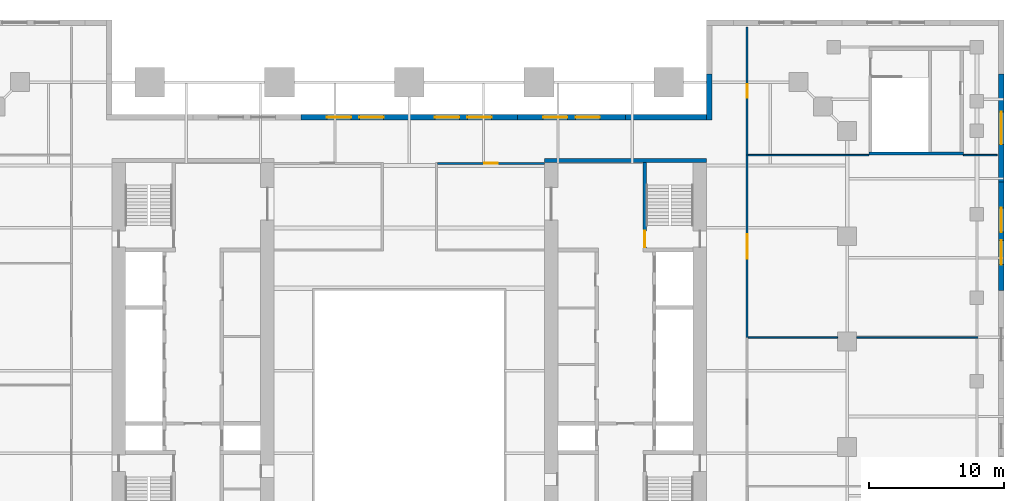
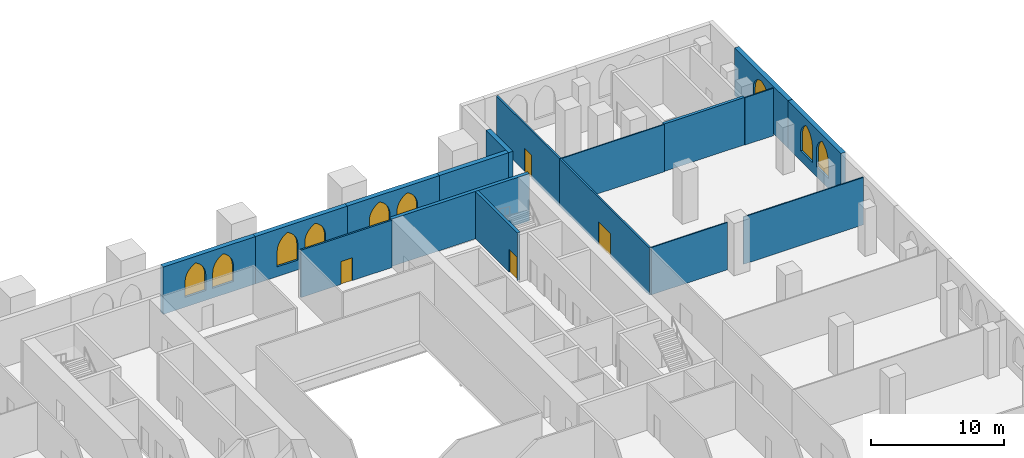
# One storey, part 16 of 18: 17 walls, 9 windows, 4 doors, 13 openings.
"""IFC4 building model written with IfcOpenShell, lengths in metres."""

from ifc_helpers import new_model, si_unit, direction, frame, frame_2d, origin, place, context, subcontext, project, spatial, polyline, rectangle, outline, extrude, material, layer, layer_set, type_object, element, fill, save


model = new_model("IFC4")

# Units and contexts
model_context = context("Model", 3, precision=1e-05, world=origin(), true_north=direction((0.0, 1.0)))
body_context = subcontext(model_context, "Body", "Model", "MODEL_VIEW")
ifc_project = project(units=[si_unit("LENGTHUNIT", "METRE"), si_unit("AREAUNIT", "SQUARE_METRE"), si_unit("VOLUMEUNIT", "CUBIC_METRE"), si_unit("PLANEANGLEUNIT", "RADIAN"), si_unit("MASSUNIT", "GRAM", prefix="KILO")], contexts=[model_context])

# Site, building, storey
site_placement = place(None, origin())
site = spatial("IfcSite", under=ifc_project, at=site_placement, CompositionType="ELEMENT")
building_placement = place(site_placement, origin())
building = spatial("IfcBuilding", under=site, at=building_placement, Name="Ogive Exchange Tower", CompositionType="ELEMENT")
storey_placement = place(building_placement, frame((0.0, 0.0, 28.800048828125)))
storey = spatial("IfcBuildingStorey", under=building, at=storey_placement, Name="L05", CompositionType="ELEMENT", Elevation=28.800048828125)

# Wall, opening, door
ifc_material_1 = material(Name="Fire partition EI 60 150")
ifc_layer_1 = layer(ifc_material_1, 0.14990234375)
ifc_layer_set_1 = layer_set([ifc_layer_1], Name="Fire partition EI 60 150")
wall_type_1 = type_object("IfcWallType", Name="Fire partition EI 60 150", PredefinedType="PARTITIONING", material=ifc_layer_set_1)
wall_1_placement = place(storey_placement, frame((2.074951171875, 25.39990234375, 0.0), z_axis=(0.0, 0.0, 1.0), x_axis=(1.0, 0.0, 0.0)))
wall_1 = element("IfcWall", 1, at=wall_1_placement, inside=storey, type_object=wall_type_1, Name="L05-PWL-036", PredefinedType="PARTITIONING", context=body_context, shape_type="SweptSolid", body=[
    extrude(rectangle(XDim=7.925048828125, YDim=0.14990234375, at=frame_2d((3.96240234375, 0.0))), origin(), (0.0, 0.0, 1.0), 4.349853515625),
])
opening_1_placement = place(wall_1_placement, frame((3.46240234375, 0.0, 0.0)))
opening_1 = element("IfcOpeningElement", 2, at=opening_1_placement, cuts=wall_1, Name="Opening L05-I25", PredefinedType="OPENING", context=body_context, shape_type="SweptSolid", body=[
    extrude(rectangle(XDim=1.0, YDim=2.10009765625, at=frame_2d((0.5, 1.050048828125))), frame((0.0, 0.0849609375, 0.0), z_axis=(0.0, -1.0, 0.0), x_axis=(1.0, 0.0, 0.0)), (0.0, 0.0, 1.0), 0.169921875),
])
ifc_material_2 = material(Name="Fire door FD 30S 1000 x 2100")
door_type_1 = type_object("IfcDoorType", Name="Fire door FD 30S 1000 x 2100", OperationType="NOTDEFINED", PredefinedType="DOOR", material=ifc_material_2)
door_1_placement = place(opening_1_placement, frame((1.0, 0.0, 0.0), z_axis=(0.0, 0.0, 1.0), x_axis=(-1.0, 0.0, 0.0)))
door_1 = element("IfcDoor", 3, at=door_1_placement, inside=storey, type_object=door_type_1, Name="L05-IDR-025", ObjectType="DT3", OperationType="SINGLE_SWING_LEFT", OverallHeight=2.10009765625, OverallWidth=1.0, PredefinedType="DOOR", context=body_context, shape_type="SweptSolid", body=[
    extrude(rectangle(XDim=1.0, YDim=2.10009765625, at=frame_2d((0.5, 1.050048828125))), frame((0.0, 0.02490234375, 0.0), z_axis=(0.0, -1.0, 0.0), x_axis=(1.0, 0.0, 0.0)), (0.0, 0.0, 1.0), 0.050048828125),
])
fill(opening_1, door_1)

wall_2_placement = place(storey_placement, frame((25.0, 12.5, 0.0), z_axis=(0.0, 0.0, 1.0), x_axis=(0.0, 1.0, 0.0)))
wall_2 = element("IfcWall", 4, at=wall_2_placement, inside=storey, type_object=wall_type_1, Name="L05-PWL-064", PredefinedType="PARTITIONING", context=body_context, shape_type="SweptSolid", body=[
    extrude(rectangle(XDim=13.5, YDim=0.14990234375, at=frame_2d((6.75, 0.0))), origin(), (0.0, 0.0, 1.0), 4.349853515625),
])
opening_2_placement = place(wall_2_placement, frame((5.85009765625, 0.0, 0.0)))
opening_2 = element("IfcOpeningElement", 5, at=opening_2_placement, cuts=wall_2, Name="Opening L05-I13", PredefinedType="OPENING", context=body_context, shape_type="SweptSolid", body=[
    extrude(rectangle(XDim=1.800048828125, YDim=2.10009765625, at=frame_2d((0.89990234375, 1.050048828125))), frame((0.0, 0.0849609375, 0.0), z_axis=(0.0, -1.0, 0.0), x_axis=(1.0, 0.0, 0.0)), (0.0, 0.0, 1.0), 0.169921875),
])
ifc_material_3 = material(Name="Fire door FD 30S 1800 x 2100")
door_type_2 = type_object("IfcDoorType", Name="Fire door FD 30S 1800 x 2100", OperationType="DOUBLE_DOOR_SINGLE_SWING", PredefinedType="DOOR", material=ifc_material_3)
door_2_placement = place(opening_2_placement, frame((1.800048828125, 0.0, 0.0), z_axis=(0.0, 0.0, 1.0), x_axis=(-1.0, 0.0, 0.0)))
door_2 = element("IfcDoor", 6, at=door_2_placement, inside=storey, type_object=door_type_2, Name="L05-IDR-013", ObjectType="DT4", OperationType="SINGLE_SWING_LEFT", OverallHeight=2.10009765625, OverallWidth=1.800048828125, PredefinedType="DOOR", context=body_context, shape_type="SweptSolid", body=[
    extrude(rectangle(XDim=1.800048828125, YDim=2.10009765625, at=frame_2d((0.89990234375, 1.050048828125))), frame((0.0, 0.02490234375, 0.0), z_axis=(0.0, -1.0, 0.0), x_axis=(1.0, 0.0, 0.0)), (0.0, 0.0, 1.0), 0.050048828125),
])
fill(opening_2, door_2)

wall_3_placement = place(storey_placement, frame((25.0, 26.0, 0.0), z_axis=(0.0, 0.0, 1.0), x_axis=(0.0, 1.0, 0.0)))
wall_3 = element("IfcWall", 7, at=wall_3_placement, inside=storey, type_object=wall_type_1, Name="L05-PWL-065", PredefinedType="PARTITIONING", context=body_context, shape_type="SweptSolid", body=[
    extrude(rectangle(XDim=9.5, YDim=0.14990234375, at=frame_2d((4.75, 0.0))), origin(), (0.0, 0.0, 1.0), 4.349853515625),
])
opening_3_placement = place(wall_3_placement, frame((4.25, 0.0, 0.0)))
opening_3 = element("IfcOpeningElement", 8, at=opening_3_placement, cuts=wall_3, Name="Opening L05-I02", PredefinedType="OPENING", context=body_context, shape_type="SweptSolid", body=[
    extrude(rectangle(XDim=1.0, YDim=2.10009765625, at=frame_2d((0.5, 1.050048828125))), frame((0.0, 0.0849609375, 0.0), z_axis=(0.0, -1.0, 0.0), x_axis=(1.0, 0.0, 0.0)), (0.0, 0.0, 1.0), 0.169921875),
])
door_3_placement = place(opening_3_placement, frame((1.0, 0.0, 0.0), z_axis=(0.0, 0.0, 1.0), x_axis=(-1.0, 0.0, 0.0)))
door_3 = element("IfcDoor", 9, at=door_3_placement, inside=storey, type_object=door_type_1, Name="L05-IDR-002", ObjectType="DT3", OperationType="SINGLE_SWING_RIGHT", OverallHeight=2.10009765625, OverallWidth=1.0, PredefinedType="DOOR", context=body_context, shape_type="SweptSolid", body=[
    extrude(rectangle(XDim=1.0, YDim=2.10009765625, at=frame_2d((0.5, 1.050048828125))), frame((0.0, 0.02490234375, 0.0), z_axis=(0.0, -1.0, 0.0), x_axis=(1.0, 0.0, 0.0)), (0.0, 0.0, 1.0), 0.050048828125),
])
fill(opening_3, door_3)

# Wall, openings, windows
ifc_material_4 = material(Name="Precast concrete C40/50", Category="concrete")
ifc_layer_2 = layer(ifc_material_4, 0.39990234375)
ifc_layer_set_2 = layer_set([ifc_layer_2], Name="Limestone-faced wall 400")
wall_type_2 = type_object("IfcWallType", Name="Limestone-faced wall 400", PredefinedType="STANDARD", material=ifc_layer_set_2)
wall_4_placement = place(storey_placement, frame((43.800048828125, 16.0, 0.0), z_axis=(0.0, 0.0, 1.0), x_axis=(0.0, 1.0, 0.0)))
wall_4 = element("IfcWall", 10, at=wall_4_placement, inside=storey, type_object=wall_type_2, Name="Podium wall E10", PredefinedType="STANDARD", context=body_context, shape_type="SweptSolid", body=[
    extrude(rectangle(XDim=8.0, YDim=0.39990234375, at=frame_2d((4.0, 0.0))), origin(), (0.0, 0.0, 1.0), 4.349853515625),
])
opening_4_placement = place(wall_4_placement, frame((1.89990234375, 0.0, 0.89990234375)))
opening_4 = element("IfcOpeningElement", 11, at=opening_4_placement, cuts=wall_4, Name="Opening WQ285", PredefinedType="OPENING", context=body_context, shape_type="SweptSolid", body=[
    extrude(outline(polyline([(0.0, 0.0), (1.800048828125, 0.0), (1.800048828125, 1.425048828125), (1.784423828125, 1.646484375), (1.73779296875, 1.86376953125), (1.661376953125, 2.072265625), (1.55615234375, 2.267822265625), (1.4248046875, 2.44677734375), (1.269287109375, 2.60546875), (1.09326171875, 2.74072265625), (0.89990234375, 2.85009765625), (0.706787109375, 2.74072265625), (0.53076171875, 2.60546875), (0.375244140625, 2.44677734375), (0.243896484375, 2.267822265625), (0.138671875, 2.072265625), (0.062255859375, 1.86376953125), (0.015625, 1.646484375), (0.0, 1.425048828125), (0.0, 0.0)])), frame((0.0, 0.2099609375, 0.0), z_axis=(0.0, -1.0, 0.0), x_axis=(1.0, 0.0, 0.0)), (0.0, 0.0, 1.0), 0.419921875),
])
opening_5_placement = place(wall_4_placement, frame((4.300048828125, 0.0, 0.89990234375)))
opening_5 = element("IfcOpeningElement", 12, at=opening_5_placement, cuts=wall_4, Name="Opening WQ285", PredefinedType="OPENING", context=body_context, shape_type="SweptSolid", body=[
    extrude(outline(polyline([(0.0, 0.0), (1.800048828125, 0.0), (1.800048828125, 1.425048828125), (1.784423828125, 1.646484375), (1.73779296875, 1.86376953125), (1.661376953125, 2.072265625), (1.55615234375, 2.267822265625), (1.4248046875, 2.44677734375), (1.269287109375, 2.60546875), (1.09326171875, 2.74072265625), (0.89990234375, 2.85009765625), (0.706787109375, 2.74072265625), (0.53076171875, 2.60546875), (0.375244140625, 2.44677734375), (0.243896484375, 2.267822265625), (0.138671875, 2.072265625), (0.062255859375, 1.86376953125), (0.015625, 1.646484375), (0.0, 1.425048828125), (0.0, 0.0)])), frame((0.0, 0.2099609375, 0.0), z_axis=(0.0, -1.0, 0.0), x_axis=(1.0, 0.0, 0.0)), (0.0, 0.0, 1.0), 0.419921875),
])
ifc_material_5 = material(Name="Clear glass in bronze frame", Category="glass")
window_type_1 = type_object("IfcWindowType", Name="Podium paired lancet 1800 x 2850", PartitioningType="DOUBLE_PANEL_VERTICAL", PredefinedType="WINDOW", material=ifc_material_5)
window_1_placement = place(opening_4_placement, origin())
window_1 = element("IfcWindow", 13, at=window_1_placement, inside=storey, type_object=window_type_1, Name="Podium paired lancet E10.1", OverallHeight=2.85009765625, OverallWidth=1.800048828125, PartitioningType="DOUBLE_PANEL_VERTICAL", PredefinedType="WINDOW", context=body_context, shape_type="SweptSolid", body=[
    extrude(outline(polyline([(0.0, 0.0), (1.800048828125, 0.0), (1.800048828125, 1.425048828125), (1.784423828125, 1.646484375), (1.73779296875, 1.86376953125), (1.661376953125, 2.072265625), (1.55615234375, 2.267822265625), (1.4248046875, 2.44677734375), (1.269287109375, 2.60546875), (1.09326171875, 2.74072265625), (0.89990234375, 2.85009765625), (0.706787109375, 2.74072265625), (0.53076171875, 2.60546875), (0.375244140625, 2.44677734375), (0.243896484375, 2.267822265625), (0.138671875, 2.072265625), (0.062255859375, 1.86376953125), (0.015625, 1.646484375), (0.0, 1.425048828125), (0.0, 0.0)])), frame((0.0, 0.030029296875, 0.0), z_axis=(0.0, -1.0, 0.0), x_axis=(1.0, 0.0, 0.0)), (0.0, 0.0, 1.0), 0.06005859375),
])
fill(opening_4, window_1)
window_2_placement = place(opening_5_placement, origin())
window_2 = element("IfcWindow", 14, at=window_2_placement, inside=storey, type_object=window_type_1, Name="Podium paired lancet E10.2", OverallHeight=2.85009765625, OverallWidth=1.800048828125, PartitioningType="DOUBLE_PANEL_VERTICAL", PredefinedType="WINDOW", context=body_context, shape_type="SweptSolid", body=[
    extrude(outline(polyline([(0.0, 0.0), (1.800048828125, 0.0), (1.800048828125, 1.425048828125), (1.784423828125, 1.646484375), (1.73779296875, 1.86376953125), (1.661376953125, 2.072265625), (1.55615234375, 2.267822265625), (1.4248046875, 2.44677734375), (1.269287109375, 2.60546875), (1.09326171875, 2.74072265625), (0.89990234375, 2.85009765625), (0.706787109375, 2.74072265625), (0.53076171875, 2.60546875), (0.375244140625, 2.44677734375), (0.243896484375, 2.267822265625), (0.138671875, 2.072265625), (0.062255859375, 1.86376953125), (0.015625, 1.646484375), (0.0, 1.425048828125), (0.0, 0.0)])), frame((0.0, 0.030029296875, 0.0), z_axis=(0.0, -1.0, 0.0), x_axis=(1.0, 0.0, 0.0)), (0.0, 0.0, 1.0), 0.06005859375),
])
fill(opening_5, window_2)

# Wall, opening, window
wall_5_placement = place(storey_placement, frame((43.800048828125, 24.0, 0.0), z_axis=(0.0, 0.0, 1.0), x_axis=(0.0, 1.0, 0.0)))
wall_5 = element("IfcWall", 15, at=wall_5_placement, inside=storey, type_object=wall_type_2, Name="Podium wall E11", PredefinedType="STANDARD", context=body_context, shape_type="SweptSolid", body=[
    extrude(rectangle(XDim=8.0, YDim=0.39990234375, at=frame_2d((4.0, 0.0))), origin(), (0.0, 0.0, 1.0), 4.349853515625),
])
opening_6_placement = place(wall_5_placement, frame((2.800048828125, 0.0, 0.89990234375)))
opening_6 = element("IfcOpeningElement", 16, at=opening_6_placement, cuts=wall_5, Name="Opening WP285", PredefinedType="OPENING", context=body_context, shape_type="SweptSolid", body=[
    extrude(outline(polyline([(0.0, 0.0), (2.39990234375, 0.0), (2.39990234375, 1.425048828125), (2.3779296875, 1.6767578125), (2.312255859375, 1.9208984375), (2.205322265625, 2.149658203125), (2.06005859375, 2.3564453125), (1.880859375, 2.534912109375), (1.673583984375, 2.679443359375), (1.4443359375, 2.785400390625), (1.199951171875, 2.85009765625), (0.95556640625, 2.785400390625), (0.726318359375, 2.679443359375), (0.51904296875, 2.534912109375), (0.33984375, 2.3564453125), (0.194580078125, 2.149658203125), (0.087646484375, 1.9208984375), (0.02197265625, 1.6767578125), (0.0, 1.425048828125), (0.0, 0.0)])), frame((0.0, 0.2099609375, 0.0), z_axis=(0.0, -1.0, 0.0), x_axis=(1.0, 0.0, 0.0)), (0.0, 0.0, 1.0), 0.419921875),
])
window_type_2 = type_object("IfcWindowType", Name="Podium lancet window 2400 x 2850", PartitioningType="DOUBLE_PANEL_VERTICAL", PredefinedType="WINDOW", material=ifc_material_5)
window_3_placement = place(opening_6_placement, origin())
window_3 = element("IfcWindow", 17, at=window_3_placement, inside=storey, type_object=window_type_2, Name="Podium window E11", OverallHeight=2.85009765625, OverallWidth=2.39990234375, PartitioningType="DOUBLE_PANEL_VERTICAL", PredefinedType="WINDOW", context=body_context, shape_type="SweptSolid", body=[
    extrude(outline(polyline([(0.0, 0.0), (2.39990234375, 0.0), (2.39990234375, 1.425048828125), (2.3779296875, 1.6767578125), (2.312255859375, 1.9208984375), (2.205322265625, 2.149658203125), (2.06005859375, 2.3564453125), (1.880859375, 2.534912109375), (1.673583984375, 2.679443359375), (1.4443359375, 2.785400390625), (1.199951171875, 2.85009765625), (0.95556640625, 2.785400390625), (0.726318359375, 2.679443359375), (0.51904296875, 2.534912109375), (0.33984375, 2.3564453125), (0.194580078125, 2.149658203125), (0.087646484375, 1.9208984375), (0.02197265625, 1.6767578125), (0.0, 1.425048828125), (0.0, 0.0)])), frame((0.0, 0.030029296875, 0.0), z_axis=(0.0, -1.0, 0.0), x_axis=(1.0, 0.0, 0.0)), (0.0, 0.0, 1.0), 0.06005859375),
])
fill(opening_6, window_3)

# Walls
wall_6_placement = place(storey_placement, frame((22.199951171875, 32.0, 0.0), z_axis=(0.0, 0.0, 1.0), x_axis=(0.0, -1.0, 0.0)))
element("IfcWall", 18, at=wall_6_placement, inside=storey, type_object=wall_type_2, Name="Podium wall K2", PredefinedType="STANDARD", context=body_context, shape_type="SweptSolid", body=[
    extrude(rectangle(XDim=3.39990234375, YDim=0.39990234375, at=frame_2d((1.699951171875, 0.0))), origin(), (0.0, 0.0, 1.0), 4.349853515625),
])
wall_7_placement = place(storey_placement, frame((22.0, 28.800048828125, 0.0), z_axis=(0.0, 0.0, 1.0), x_axis=(-1.0, 0.0, 0.0)))
element("IfcWall", 19, at=wall_7_placement, inside=storey, type_object=wall_type_2, Name="Podium wall B1", PredefinedType="STANDARD", context=body_context, shape_type="SweptSolid", body=[
    extrude(rectangle(XDim=6.0, YDim=0.39990234375, at=frame_2d((3.0, 0.0))), origin(), (0.0, 0.0, 1.0), 4.349853515625),
])

# Wall, openings, windows
wall_8_placement = place(storey_placement, frame((16.0, 28.800048828125, 0.0), z_axis=(0.0, 0.0, 1.0), x_axis=(-1.0, 0.0, 0.0)))
wall_8 = element("IfcWall", 20, at=wall_8_placement, inside=storey, type_object=wall_type_2, Name="Podium wall B2", PredefinedType="STANDARD", context=body_context, shape_type="SweptSolid", body=[
    extrude(rectangle(XDim=8.0, YDim=0.39990234375, at=frame_2d((4.0, 0.0))), origin(), (0.0, 0.0, 1.0), 4.349853515625),
])
opening_7_placement = place(wall_8_placement, frame((1.89990234375, 0.0, 0.89990234375)))
opening_7 = element("IfcOpeningElement", 21, at=opening_7_placement, cuts=wall_8, Name="Opening WQ285", PredefinedType="OPENING", context=body_context, shape_type="SweptSolid", body=[
    extrude(outline(polyline([(0.0, 0.0), (1.800048828125, 0.0), (1.800048828125, 1.425048828125), (1.784423828125, 1.646484375), (1.73779296875, 1.86376953125), (1.661376953125, 2.072265625), (1.55615234375, 2.267822265625), (1.4248046875, 2.44677734375), (1.269287109375, 2.60546875), (1.09326171875, 2.74072265625), (0.89990234375, 2.85009765625), (0.706787109375, 2.74072265625), (0.53076171875, 2.60546875), (0.375244140625, 2.44677734375), (0.243896484375, 2.267822265625), (0.138671875, 2.072265625), (0.062255859375, 1.86376953125), (0.015625, 1.646484375), (0.0, 1.425048828125), (0.0, 0.0)])), frame((0.0, 0.2099609375, 0.0), z_axis=(0.0, -1.0, 0.0), x_axis=(1.0, 0.0, 0.0)), (0.0, 0.0, 1.0), 0.419921875),
])
opening_8_placement = place(wall_8_placement, frame((4.300048828125, 0.0, 0.89990234375)))
opening_8 = element("IfcOpeningElement", 22, at=opening_8_placement, cuts=wall_8, Name="Opening WQ285", PredefinedType="OPENING", context=body_context, shape_type="SweptSolid", body=[
    extrude(outline(polyline([(0.0, 0.0), (1.800048828125, 0.0), (1.800048828125, 1.425048828125), (1.784423828125, 1.646484375), (1.73779296875, 1.86376953125), (1.661376953125, 2.072265625), (1.55615234375, 2.267822265625), (1.4248046875, 2.44677734375), (1.269287109375, 2.60546875), (1.09326171875, 2.74072265625), (0.89990234375, 2.85009765625), (0.706787109375, 2.74072265625), (0.53076171875, 2.60546875), (0.375244140625, 2.44677734375), (0.243896484375, 2.267822265625), (0.138671875, 2.072265625), (0.062255859375, 1.86376953125), (0.015625, 1.646484375), (0.0, 1.425048828125), (0.0, 0.0)])), frame((0.0, 0.2099609375, 0.0), z_axis=(0.0, -1.0, 0.0), x_axis=(1.0, 0.0, 0.0)), (0.0, 0.0, 1.0), 0.419921875),
])
window_4_placement = place(opening_7_placement, origin())
window_4 = element("IfcWindow", 23, at=window_4_placement, inside=storey, type_object=window_type_1, Name="Podium paired lancet B2.1", OverallHeight=2.85009765625, OverallWidth=1.800048828125, PartitioningType="DOUBLE_PANEL_VERTICAL", PredefinedType="WINDOW", context=body_context, shape_type="SweptSolid", body=[
    extrude(outline(polyline([(0.0, 0.0), (1.800048828125, 0.0), (1.800048828125, 1.425048828125), (1.784423828125, 1.646484375), (1.73779296875, 1.86376953125), (1.661376953125, 2.072265625), (1.55615234375, 2.267822265625), (1.4248046875, 2.44677734375), (1.269287109375, 2.60546875), (1.09326171875, 2.74072265625), (0.89990234375, 2.85009765625), (0.706787109375, 2.74072265625), (0.53076171875, 2.60546875), (0.375244140625, 2.44677734375), (0.243896484375, 2.267822265625), (0.138671875, 2.072265625), (0.062255859375, 1.86376953125), (0.015625, 1.646484375), (0.0, 1.425048828125), (0.0, 0.0)])), frame((0.0, 0.030029296875, 0.0), z_axis=(0.0, -1.0, 0.0), x_axis=(1.0, 0.0, 0.0)), (0.0, 0.0, 1.0), 0.06005859375),
])
fill(opening_7, window_4)
window_5_placement = place(opening_8_placement, origin())
window_5 = element("IfcWindow", 24, at=window_5_placement, inside=storey, type_object=window_type_1, Name="Podium paired lancet B2.2", OverallHeight=2.85009765625, OverallWidth=1.800048828125, PartitioningType="DOUBLE_PANEL_VERTICAL", PredefinedType="WINDOW", context=body_context, shape_type="SweptSolid", body=[
    extrude(outline(polyline([(0.0, 0.0), (1.800048828125, 0.0), (1.800048828125, 1.425048828125), (1.784423828125, 1.646484375), (1.73779296875, 1.86376953125), (1.661376953125, 2.072265625), (1.55615234375, 2.267822265625), (1.4248046875, 2.44677734375), (1.269287109375, 2.60546875), (1.09326171875, 2.74072265625), (0.89990234375, 2.85009765625), (0.706787109375, 2.74072265625), (0.53076171875, 2.60546875), (0.375244140625, 2.44677734375), (0.243896484375, 2.267822265625), (0.138671875, 2.072265625), (0.062255859375, 1.86376953125), (0.015625, 1.646484375), (0.0, 1.425048828125), (0.0, 0.0)])), frame((0.0, 0.030029296875, 0.0), z_axis=(0.0, -1.0, 0.0), x_axis=(1.0, 0.0, 0.0)), (0.0, 0.0, 1.0), 0.06005859375),
])
fill(opening_8, window_5)

wall_9_placement = place(storey_placement, frame((8.0, 28.800048828125, 0.0), z_axis=(0.0, 0.0, 1.0), x_axis=(-1.0, 0.0, 0.0)))
wall_9 = element("IfcWall", 25, at=wall_9_placement, inside=storey, type_object=wall_type_2, Name="Podium wall B3", PredefinedType="STANDARD", context=body_context, shape_type="SweptSolid", body=[
    extrude(rectangle(XDim=8.0, YDim=0.39990234375, at=frame_2d((4.0, 0.0))), origin(), (0.0, 0.0, 1.0), 4.349853515625),
])
opening_9_placement = place(wall_9_placement, frame((1.89990234375, 0.0, 0.89990234375)))
opening_9 = element("IfcOpeningElement", 26, at=opening_9_placement, cuts=wall_9, Name="Opening WQ285", PredefinedType="OPENING", context=body_context, shape_type="SweptSolid", body=[
    extrude(outline(polyline([(0.0, 0.0), (1.800048828125, 0.0), (1.800048828125, 1.425048828125), (1.784423828125, 1.646484375), (1.73779296875, 1.86376953125), (1.661376953125, 2.072265625), (1.55615234375, 2.267822265625), (1.4248046875, 2.44677734375), (1.269287109375, 2.60546875), (1.09326171875, 2.74072265625), (0.89990234375, 2.85009765625), (0.706787109375, 2.74072265625), (0.53076171875, 2.60546875), (0.375244140625, 2.44677734375), (0.243896484375, 2.267822265625), (0.138671875, 2.072265625), (0.062255859375, 1.86376953125), (0.015625, 1.646484375), (0.0, 1.425048828125), (0.0, 0.0)])), frame((0.0, 0.2099609375, 0.0), z_axis=(0.0, -1.0, 0.0), x_axis=(1.0, 0.0, 0.0)), (0.0, 0.0, 1.0), 0.419921875),
])
opening_10_placement = place(wall_9_placement, frame((4.300048828125, 0.0, 0.89990234375)))
opening_10 = element("IfcOpeningElement", 27, at=opening_10_placement, cuts=wall_9, Name="Opening WQ285", PredefinedType="OPENING", context=body_context, shape_type="SweptSolid", body=[
    extrude(outline(polyline([(0.0, 0.0), (1.800048828125, 0.0), (1.800048828125, 1.425048828125), (1.784423828125, 1.646484375), (1.73779296875, 1.86376953125), (1.661376953125, 2.072265625), (1.55615234375, 2.267822265625), (1.4248046875, 2.44677734375), (1.269287109375, 2.60546875), (1.09326171875, 2.74072265625), (0.89990234375, 2.85009765625), (0.706787109375, 2.74072265625), (0.53076171875, 2.60546875), (0.375244140625, 2.44677734375), (0.243896484375, 2.267822265625), (0.138671875, 2.072265625), (0.062255859375, 1.86376953125), (0.015625, 1.646484375), (0.0, 1.425048828125), (0.0, 0.0)])), frame((0.0, 0.2099609375, 0.0), z_axis=(0.0, -1.0, 0.0), x_axis=(1.0, 0.0, 0.0)), (0.0, 0.0, 1.0), 0.419921875),
])
window_6_placement = place(opening_9_placement, origin())
window_6 = element("IfcWindow", 28, at=window_6_placement, inside=storey, type_object=window_type_1, Name="Podium paired lancet B3.1", OverallHeight=2.85009765625, OverallWidth=1.800048828125, PartitioningType="DOUBLE_PANEL_VERTICAL", PredefinedType="WINDOW", context=body_context, shape_type="SweptSolid", body=[
    extrude(outline(polyline([(0.0, 0.0), (1.800048828125, 0.0), (1.800048828125, 1.425048828125), (1.784423828125, 1.646484375), (1.73779296875, 1.86376953125), (1.661376953125, 2.072265625), (1.55615234375, 2.267822265625), (1.4248046875, 2.44677734375), (1.269287109375, 2.60546875), (1.09326171875, 2.74072265625), (0.89990234375, 2.85009765625), (0.706787109375, 2.74072265625), (0.53076171875, 2.60546875), (0.375244140625, 2.44677734375), (0.243896484375, 2.267822265625), (0.138671875, 2.072265625), (0.062255859375, 1.86376953125), (0.015625, 1.646484375), (0.0, 1.425048828125), (0.0, 0.0)])), frame((0.0, 0.030029296875, 0.0), z_axis=(0.0, -1.0, 0.0), x_axis=(1.0, 0.0, 0.0)), (0.0, 0.0, 1.0), 0.06005859375),
])
fill(opening_9, window_6)
window_7_placement = place(opening_10_placement, origin())
window_7 = element("IfcWindow", 29, at=window_7_placement, inside=storey, type_object=window_type_1, Name="Podium paired lancet B3.2", OverallHeight=2.85009765625, OverallWidth=1.800048828125, PartitioningType="DOUBLE_PANEL_VERTICAL", PredefinedType="WINDOW", context=body_context, shape_type="SweptSolid", body=[
    extrude(outline(polyline([(0.0, 0.0), (1.800048828125, 0.0), (1.800048828125, 1.425048828125), (1.784423828125, 1.646484375), (1.73779296875, 1.86376953125), (1.661376953125, 2.072265625), (1.55615234375, 2.267822265625), (1.4248046875, 2.44677734375), (1.269287109375, 2.60546875), (1.09326171875, 2.74072265625), (0.89990234375, 2.85009765625), (0.706787109375, 2.74072265625), (0.53076171875, 2.60546875), (0.375244140625, 2.44677734375), (0.243896484375, 2.267822265625), (0.138671875, 2.072265625), (0.062255859375, 1.86376953125), (0.015625, 1.646484375), (0.0, 1.425048828125), (0.0, 0.0)])), frame((0.0, 0.030029296875, 0.0), z_axis=(0.0, -1.0, 0.0), x_axis=(1.0, 0.0, 0.0)), (0.0, 0.0, 1.0), 0.06005859375),
])
fill(opening_10, window_7)

wall_10_placement = place(storey_placement, frame((0.0, 28.800048828125, 0.0), z_axis=(0.0, 0.0, 1.0), x_axis=(-1.0, 0.0, 0.0)))
wall_10 = element("IfcWall", 30, at=wall_10_placement, inside=storey, type_object=wall_type_2, Name="Podium wall B4", PredefinedType="STANDARD", context=body_context, shape_type="SweptSolid", body=[
    extrude(rectangle(XDim=8.0, YDim=0.39990234375, at=frame_2d((4.0, 0.0))), origin(), (0.0, 0.0, 1.0), 4.349853515625),
])
opening_11_placement = place(wall_10_placement, frame((1.89990234375, 0.0, 0.89990234375)))
opening_11 = element("IfcOpeningElement", 31, at=opening_11_placement, cuts=wall_10, Name="Opening WQ285", PredefinedType="OPENING", context=body_context, shape_type="SweptSolid", body=[
    extrude(outline(polyline([(0.0, 0.0), (1.800048828125, 0.0), (1.800048828125, 1.425048828125), (1.784423828125, 1.646484375), (1.73779296875, 1.86376953125), (1.661376953125, 2.072265625), (1.55615234375, 2.267822265625), (1.4248046875, 2.44677734375), (1.269287109375, 2.60546875), (1.09326171875, 2.74072265625), (0.89990234375, 2.85009765625), (0.706787109375, 2.74072265625), (0.53076171875, 2.60546875), (0.375244140625, 2.44677734375), (0.243896484375, 2.267822265625), (0.138671875, 2.072265625), (0.062255859375, 1.86376953125), (0.015625, 1.646484375), (0.0, 1.425048828125), (0.0, 0.0)])), frame((0.0, 0.2099609375, 0.0), z_axis=(0.0, -1.0, 0.0), x_axis=(1.0, 0.0, 0.0)), (0.0, 0.0, 1.0), 0.419921875),
])
opening_12_placement = place(wall_10_placement, frame((4.300048828125, 0.0, 0.89990234375)))
opening_12 = element("IfcOpeningElement", 32, at=opening_12_placement, cuts=wall_10, Name="Opening WQ285", PredefinedType="OPENING", context=body_context, shape_type="SweptSolid", body=[
    extrude(outline(polyline([(0.0, 0.0), (1.800048828125, 0.0), (1.800048828125, 1.425048828125), (1.784423828125, 1.646484375), (1.73779296875, 1.86376953125), (1.661376953125, 2.072265625), (1.55615234375, 2.267822265625), (1.4248046875, 2.44677734375), (1.269287109375, 2.60546875), (1.09326171875, 2.74072265625), (0.89990234375, 2.85009765625), (0.706787109375, 2.74072265625), (0.53076171875, 2.60546875), (0.375244140625, 2.44677734375), (0.243896484375, 2.267822265625), (0.138671875, 2.072265625), (0.062255859375, 1.86376953125), (0.015625, 1.646484375), (0.0, 1.425048828125), (0.0, 0.0)])), frame((0.0, 0.2099609375, 0.0), z_axis=(0.0, -1.0, 0.0), x_axis=(1.0, 0.0, 0.0)), (0.0, 0.0, 1.0), 0.419921875),
])
window_8_placement = place(opening_11_placement, origin())
window_8 = element("IfcWindow", 33, at=window_8_placement, inside=storey, type_object=window_type_1, Name="Podium paired lancet B4.1", OverallHeight=2.85009765625, OverallWidth=1.800048828125, PartitioningType="DOUBLE_PANEL_VERTICAL", PredefinedType="WINDOW", context=body_context, shape_type="SweptSolid", body=[
    extrude(outline(polyline([(0.0, 0.0), (1.800048828125, 0.0), (1.800048828125, 1.425048828125), (1.784423828125, 1.646484375), (1.73779296875, 1.86376953125), (1.661376953125, 2.072265625), (1.55615234375, 2.267822265625), (1.4248046875, 2.44677734375), (1.269287109375, 2.60546875), (1.09326171875, 2.74072265625), (0.89990234375, 2.85009765625), (0.706787109375, 2.74072265625), (0.53076171875, 2.60546875), (0.375244140625, 2.44677734375), (0.243896484375, 2.267822265625), (0.138671875, 2.072265625), (0.062255859375, 1.86376953125), (0.015625, 1.646484375), (0.0, 1.425048828125), (0.0, 0.0)])), frame((0.0, 0.030029296875, 0.0), z_axis=(0.0, -1.0, 0.0), x_axis=(1.0, 0.0, 0.0)), (0.0, 0.0, 1.0), 0.06005859375),
])
fill(opening_11, window_8)
window_9_placement = place(opening_12_placement, origin())
window_9 = element("IfcWindow", 34, at=window_9_placement, inside=storey, type_object=window_type_1, Name="Podium paired lancet B4.2", OverallHeight=2.85009765625, OverallWidth=1.800048828125, PartitioningType="DOUBLE_PANEL_VERTICAL", PredefinedType="WINDOW", context=body_context, shape_type="SweptSolid", body=[
    extrude(outline(polyline([(0.0, 0.0), (1.800048828125, 0.0), (1.800048828125, 1.425048828125), (1.784423828125, 1.646484375), (1.73779296875, 1.86376953125), (1.661376953125, 2.072265625), (1.55615234375, 2.267822265625), (1.4248046875, 2.44677734375), (1.269287109375, 2.60546875), (1.09326171875, 2.74072265625), (0.89990234375, 2.85009765625), (0.706787109375, 2.74072265625), (0.53076171875, 2.60546875), (0.375244140625, 2.44677734375), (0.243896484375, 2.267822265625), (0.138671875, 2.072265625), (0.062255859375, 1.86376953125), (0.015625, 1.646484375), (0.0, 1.425048828125), (0.0, 0.0)])), frame((0.0, 0.030029296875, 0.0), z_axis=(0.0, -1.0, 0.0), x_axis=(1.0, 0.0, 0.0)), (0.0, 0.0, 1.0), 0.06005859375),
])
fill(opening_12, window_9)

# Walls
ifc_material_6 = material(Name="Partition 100 gypsum")
ifc_layer_3 = layer(ifc_material_6, 0.10009765625)
ifc_layer_set_3 = layer_set([ifc_layer_3], Name="Partition 100 gypsum")
wall_type_3 = type_object("IfcWallType", Name="Partition 100 gypsum", PredefinedType="PARTITIONING", material=ifc_layer_set_3)
wall_11_placement = place(storey_placement, frame((25.074951171875, 12.5, 0.0), z_axis=(0.0, 0.0, 1.0), x_axis=(1.0, 0.0, 0.0)))
element("IfcWall", 35, at=wall_11_placement, inside=storey, type_object=wall_type_3, Name="L05-PWL-030", PredefinedType="PARTITIONING", context=body_context, shape_type="SweptSolid", body=[
    extrude(rectangle(XDim=6.625, YDim=0.10009765625, at=frame_2d((3.3125, 0.0))), origin(), (0.0, 0.0, 1.0), 4.349853515625),
])
wall_12_placement = place(storey_placement, frame((33.10009765625, 12.5, 0.0), z_axis=(0.0, 0.0, 1.0), x_axis=(1.0, 0.0, 0.0)))
element("IfcWall", 36, at=wall_12_placement, inside=storey, type_object=wall_type_3, Name="L05-PWL-031", PredefinedType="PARTITIONING", context=body_context, shape_type="SweptSolid", body=[
    extrude(rectangle(XDim=10.39990234375, YDim=0.10009765625, at=frame_2d((5.199951171875, 0.0))), origin(), (0.0, 0.0, 1.0), 4.349853515625),
])
wall_13_placement = place(storey_placement, frame((25.074951171875, 26.0, 0.0), z_axis=(0.0, 0.0, 1.0), x_axis=(1.0, 0.0, 0.0)))
element("IfcWall", 37, at=wall_13_placement, inside=storey, type_object=wall_type_3, Name="L05-PWL-039", PredefinedType="PARTITIONING", context=body_context, shape_type="SweptSolid", body=[
    extrude(rectangle(XDim=8.925048828125, YDim=0.10009765625, at=frame_2d((4.46240234375, 0.0))), origin(), (0.0, 0.0, 1.0), 4.349853515625),
])
wall_14_placement = place(storey_placement, frame((41.0, 26.0, 0.0), z_axis=(0.0, 0.0, 1.0), x_axis=(1.0, 0.0, 0.0)))
element("IfcWall", 38, at=wall_14_placement, inside=storey, type_object=wall_type_3, Name="L05-PWL-040", PredefinedType="PARTITIONING", context=body_context, shape_type="SweptSolid", body=[
    extrude(rectangle(XDim=2.5, YDim=0.10009765625, at=frame_2d((1.25, 0.0))), origin(), (0.0, 0.0, 1.0), 4.349853515625),
])

# Wall, opening, door
ifc_material_7 = material(Name="Concrete C70/85", Category="concrete")
ifc_layer_4 = layer(ifc_material_7, 0.25)
ifc_layer_set_4 = layer_set([ifc_layer_4], Name="RC core wall 250 C70/85")
wall_type_4 = type_object("IfcWallType", Name="RC core wall 250 C70/85", PredefinedType="SHEAR", material=ifc_layer_set_4)
wall_15_placement = place(storey_placement, frame((17.425048828125, 19.14990234375, 0.0), z_axis=(0.0, 0.0, 1.0), x_axis=(0.0, 1.0, 0.0)))
wall_15 = element("IfcWall", 39, at=wall_15_placement, inside=storey, type_object=wall_type_4, Name="E stair N front wall", PredefinedType="SHEAR", context=body_context, shape_type="SweptSolid", body=[
    extrude(rectangle(XDim=6.300048828125, YDim=0.25, at=frame_2d((3.14990234375, 0.0))), origin(), (0.0, 0.0, 1.0), 4.349853515625),
])
opening_13_placement = place(wall_15_placement, frame((0.050048828125, 0.0, 0.0)))
opening_13 = element("IfcOpeningElement", 40, at=opening_13_placement, cuts=wall_15, Name="Opening L05-C37", PredefinedType="OPENING", context=body_context, shape_type="SweptSolid", body=[
    extrude(rectangle(XDim=1.199951171875, YDim=2.10009765625, at=frame_2d((0.60009765625, 1.050048828125))), frame((0.0, 0.135009765625, 0.0), z_axis=(0.0, -1.0, 0.0), x_axis=(1.0, 0.0, 0.0)), (0.0, 0.0, 1.0), 0.27001953125),
])
ifc_material_8 = material(Name="Steel fire door", Category="steel")
door_type_3 = type_object("IfcDoorType", Name="Stair door FD90 1200 x 2100", OperationType="NOTDEFINED", PredefinedType="DOOR", material=ifc_material_8)
door_4_placement = place(opening_13_placement, frame((1.199951171875, 0.0, 0.0), z_axis=(0.0, 0.0, 1.0), x_axis=(-1.0, 0.0, 0.0)))
door_4 = element("IfcDoor", 41, at=door_4_placement, inside=storey, type_object=door_type_3, Name="Stair door", ObjectType="CD5", OperationType="SINGLE_SWING_LEFT", OverallHeight=2.10009765625, OverallWidth=1.199951171875, PredefinedType="DOOR", context=body_context, shape_type="SweptSolid", body=[
    extrude(rectangle(XDim=1.199951171875, YDim=2.10009765625, at=frame_2d((0.60009765625, 1.050048828125))), frame((0.0, 0.02490234375, 0.0), z_axis=(0.0, -1.0, 0.0), x_axis=(1.0, 0.0, 0.0)), (0.0, 0.0, 1.0), 0.050048828125),
])
fill(opening_13, door_4)

# Walls
wall_16_placement = place(storey_placement, frame((34.0, 26.125, 0.0), z_axis=(0.0, 0.0, 1.0), x_axis=(1.0, 0.0, 0.0)))
element("IfcWall", 42, at=wall_16_placement, inside=storey, type_object=wall_type_4, Name="PS4 south wall", PredefinedType="SHEAR", context=body_context, shape_type="SweptSolid", body=[
    extrude(rectangle(XDim=7.0, YDim=0.25, at=frame_2d((3.5, 0.0))), origin(), (0.0, 0.0, 1.0), 4.349853515625),
])
ifc_layer_5 = layer(ifc_material_7, 0.300048828125)
ifc_layer_set_5 = layer_set([ifc_layer_5], Name="RC core wall 300 C70/85")
wall_type_5 = type_object("IfcWallType", Name="RC core wall 300 C70/85", PredefinedType="SHEAR", material=ifc_layer_set_5)
wall_17_placement = place(storey_placement, frame((10.0, 25.60009765625, 0.0), z_axis=(0.0, 0.0, 1.0), x_axis=(1.0, 0.0, 0.0)))
element("IfcWall", 43, at=wall_17_placement, inside=storey, type_object=wall_type_5, Name="E north end wall", PredefinedType="SHEAR", context=body_context, shape_type="SweptSolid", body=[
    extrude(rectangle(XDim=12.0, YDim=0.300048828125, at=frame_2d((6.0, 0.0))), origin(), (0.0, 0.0, 1.0), 4.349853515625),
])

save(model, "model.ifc")
